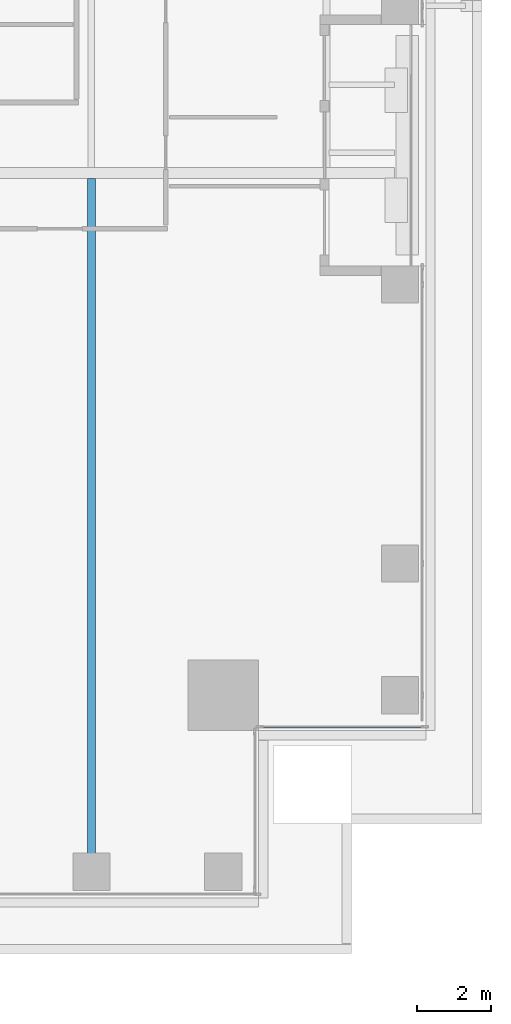
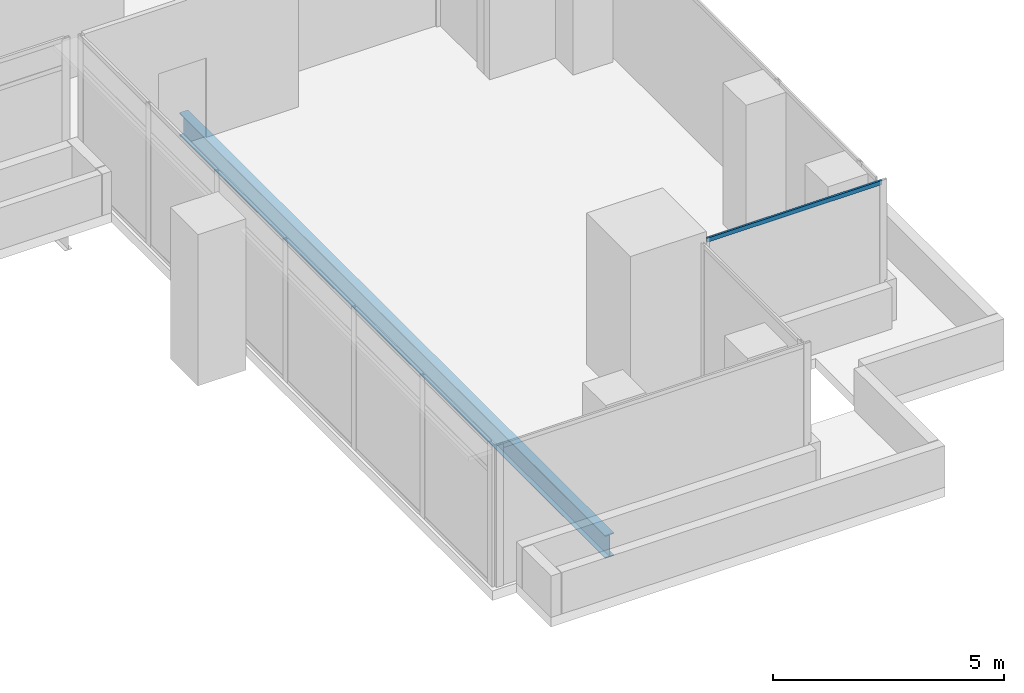
# One storey, part 9 of 43: 1 beam, 1 member, 1 element without a shape of its own.
"""IFC4 building model written with IfcOpenShell, lengths in metres."""

from ifc_helpers import new_model, si_unit, direction, frame, origin, origin_2d, place, context, subcontext, project, spatial, hollow_rectangle, i_section, extrude, source, transform, mapped, material, material_profile, profile_set, type_object, element, aggregate, save


model = new_model("IFC4")

# Units and contexts
model_context = context("Model", 3, precision=1e-05, world=origin(), true_north=direction((0.0, 1.0)))
body_context = subcontext(model_context, "Body", "Model", "MODEL_VIEW")
ifc_project = project(units=[si_unit("LENGTHUNIT", "METRE"), si_unit("AREAUNIT", "SQUARE_METRE"), si_unit("VOLUMEUNIT", "CUBIC_METRE"), si_unit("PLANEANGLEUNIT", "RADIAN"), si_unit("MASSUNIT", "GRAM", prefix="KILO")], contexts=[model_context])

# Site, building, storey
site_placement = place(None, origin())
site = spatial("IfcSite", under=ifc_project, at=site_placement, CompositionType="ELEMENT")
building_placement = place(site_placement, origin())
building = spatial("IfcBuilding", under=site, at=building_placement, Name="Khomas Fold Tower", CompositionType="ELEMENT")
storey_placement = place(building_placement, frame((0.0, 0.0, 164.699951171875)))
storey = spatial("IfcBuildingStorey", under=building, at=storey_placement, Name="L35", CompositionType="ELEMENT", Elevation=164.699951171875)

# Beam
ifc_material_1 = material(Name="Steel S355", Category="steel")
ifc_material_profile_1 = material_profile(ifc_material_1, i_section(OverallWidth=0.219970703125, OverallDepth=0.60009765625, WebThickness=0.011962890625, FlangeThickness=0.01904296875, at=origin_2d()), Name="IPE 600")
ifc_profile_set_1 = profile_set([ifc_material_profile_1], Name="Steel S355")
beam_type = type_object("IfcBeamType", Name="IPE 600 beam JB7", PredefinedType="BEAM", material=ifc_profile_set_1)
shared_shape_1 = source(origin(), body_context, "Body", "SweptSolid", [
    extrude(i_section(OverallWidth=0.219970703125, OverallDepth=0.60009765625, WebThickness=0.011962890625, FlangeThickness=0.01904296875, at=origin_2d()), origin(), (0.0, 0.0, 1.0), 18.4501953125),
])
beam_placement = place(storey_placement, frame((42.0, 3.89990234375, -0.550048828125), z_axis=(0.0, 1.0, 0.0), x_axis=(-1.0, 0.0, 0.0)))
element("IfcBeam", 1, at=beam_placement, inside=storey, type_object=beam_type, Name="JB7", PredefinedType="BEAM", context=body_context, shape_type="MappedRepresentation", body=[
    mapped(shared_shape_1, transform((0.0, 0.0, 0.0))),
])

# Curtain wall, member
ifc_material_2 = material(Name="Aluminium framed double glazing", Category="aluminium")
curtain_wall_type = type_object("IfcCurtainWallType", Name="SK-Unitised clear-glass wall, office floors CW2", PredefinedType="NOTDEFINED", material=ifc_material_2)
curtain_wall_placement = place(storey_placement, origin())
curtain_wall = element("IfcCurtainWall", 2, at=curtain_wall_placement, inside=storey, type_object=curtain_wall_type, Name="CW2 corner return L35 07", PredefinedType="NOTDEFINED")
ifc_material_3 = material(Name="Aluminium", Category="aluminium")
ifc_material_profile_2 = material_profile(ifc_material_3, hollow_rectangle(XDim=0.050048828125, YDim=0.110107421875, WallThickness=0.00390625, at=origin_2d()), Name="SK-Unitised clear-glass wall, office floors transom CW2-T")
ifc_profile_set_2 = profile_set([ifc_material_profile_2], Name="Aluminium")
member_type = type_object("IfcMemberType", Name="SK-Unitised clear-glass wall, office floors transom CW2-T", PredefinedType="USERDEFINED", material=ifc_profile_set_2)
shared_shape_2 = source(origin(), body_context, "Body", "SweptSolid", [
    extrude(hollow_rectangle(XDim=0.050048828125, YDim=0.110107421875, WallThickness=0.00390625, at=origin_2d()), origin(), (0.0, 0.0, 1.0), 4.3798828125),
])
member_placement = place(storey_placement, frame((46.56005859375, 7.60009765625, 3.695068359375), z_axis=(1.0, 0.0, 0.0), x_axis=(0.0, 1.0, 0.0)))
member = element("IfcMember", 3, at=member_placement, type_object=member_type, Name="CW2 transom 1", ObjectType="TRANSOM", PredefinedType="USERDEFINED", context=body_context, shape_type="MappedRepresentation", body=[
    mapped(shared_shape_2, transform((0.0, 0.0, 0.0))),
])
aggregate(curtain_wall, [member])

save(model, "model.ifc")
